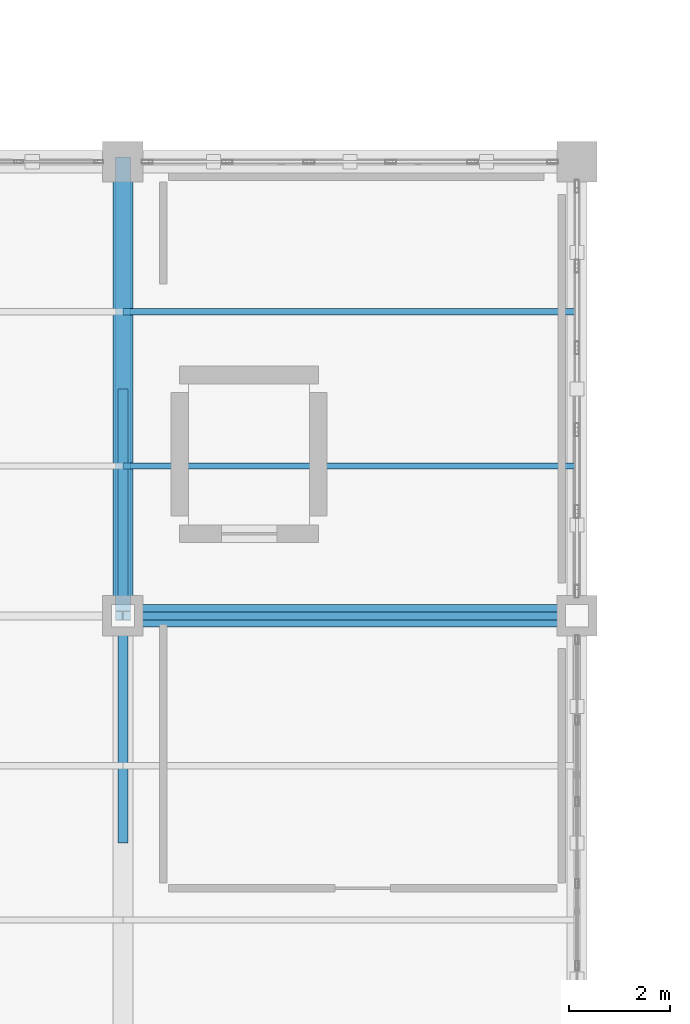
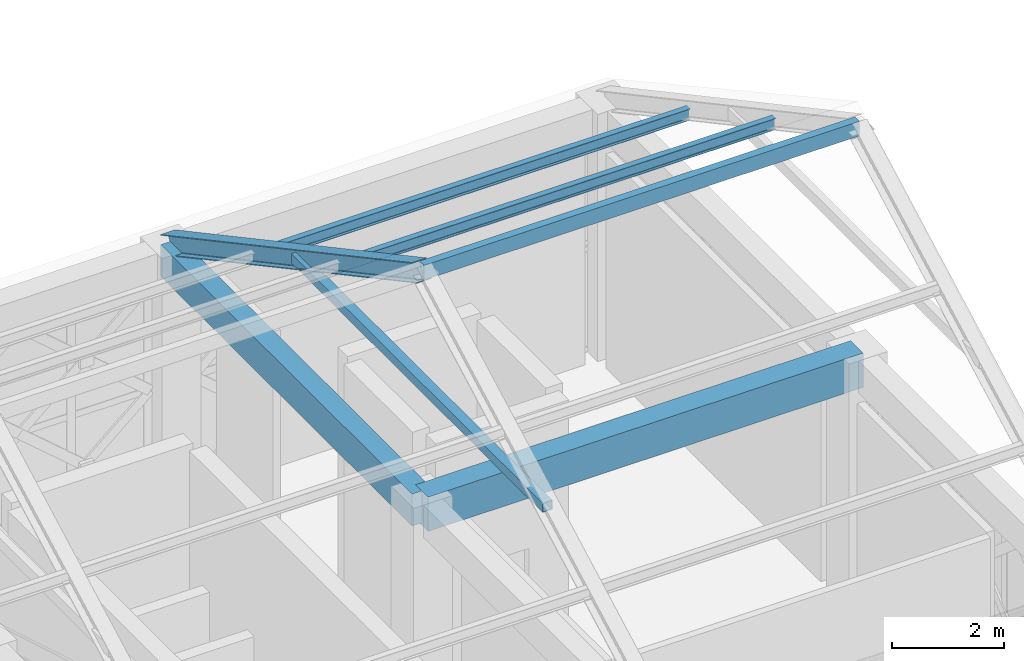
# One storey, part 55 of 86: 5 members, 2 beams.
"""IFC4 building model written with IfcOpenShell, lengths in metres."""

from ifc_helpers import new_model, si_unit, direction, frame, origin, origin_2d, place, context, subcontext, project, spatial, rectangle, hollow_rectangle, i_section, extrude, material, material_profile, profile_set, type_object, element, save


model = new_model("IFC4")

# Units and contexts
model_context = context("Model", 3, precision=1e-05, world=origin(), true_north=direction((0.0, 1.0)))
body_context = subcontext(model_context, "Body", "Model", "MODEL_VIEW")
ifc_project = project(units=[si_unit("LENGTHUNIT", "METRE"), si_unit("AREAUNIT", "SQUARE_METRE"), si_unit("VOLUMEUNIT", "CUBIC_METRE"), si_unit("PLANEANGLEUNIT", "RADIAN"), si_unit("MASSUNIT", "GRAM", prefix="KILO")], contexts=[model_context])

# Site, building, storey
site_placement = place(None, origin())
site = spatial("IfcSite", under=ifc_project, at=site_placement, CompositionType="ELEMENT")
building_placement = place(site_placement, origin())
building = spatial("IfcBuilding", under=site, at=building_placement, Name="Haizhuo Lancet Aquarium", CompositionType="ELEMENT")
storey_placement = place(building_placement, frame((0.0, 0.0, 16.199951171875)))
storey = spatial("IfcBuildingStorey", under=building, at=storey_placement, Name="L03", CompositionType="ELEMENT", Elevation=16.199951171875)

# Beams
ifc_material_1 = material(Name="Concrete C40/50", Category="concrete")
ifc_material_profile_1 = material_profile(ifc_material_1, rectangle(XDim=0.39990234375, YDim=0.699951171875, at=origin_2d()), Name="RC-BM 400x700")
ifc_profile_set_1 = profile_set([ifc_material_profile_1], Name="Concrete C40/50")
beam_type_1 = type_object("IfcBeamType", Name="BM-RC-400x700", PredefinedType="BEAM", material=ifc_profile_set_1)
beam_1_placement = place(storey_placement, frame((63.0, -18.0, 5.050048828125), z_axis=(0.0, 1.0, 0.0), x_axis=(-1.0, 0.0, 0.0)))
element("IfcBeam", 1, at=beam_1_placement, inside=storey, type_object=beam_type_1, Name="L03 V3 primary girder BM-L03-V3-028", PredefinedType="BEAM", context=body_context, shape_type="SweptSolid", body=[
    extrude(rectangle(XDim=0.39990234375, YDim=0.699951171875, at=origin_2d()), origin(), (0.0, 0.0, 1.0), 9.0),
])
ifc_material_profile_2 = material_profile(ifc_material_1, rectangle(XDim=0.449951171875, YDim=0.75, at=origin_2d()), Name="RC-BM 450x750")
ifc_profile_set_2 = profile_set([ifc_material_profile_2], Name="Concrete C40/50")
beam_type_2 = type_object("IfcBeamType", Name="BM-RC-450x750", PredefinedType="BEAM", material=ifc_profile_set_2)
beam_2_placement = place(storey_placement, frame((63.0, -18.0, 5.025146484375), z_axis=(1.0, 0.0, 0.0), x_axis=(0.0, 1.0, 0.0)))
element("IfcBeam", 2, at=beam_2_placement, inside=storey, type_object=beam_type_2, Name="L03 V3 primary girder BM-L03-V3-029", PredefinedType="BEAM", context=body_context, shape_type="SweptSolid", body=[
    extrude(rectangle(XDim=0.449951171875, YDim=0.75, at=origin_2d()), origin(), (0.0, 0.0, 1.0), 9.0),
])

# Members
ifc_material_2 = material(Name="Steel S355", Category="steel")
ifc_material_profile_3 = material_profile(ifc_material_2, hollow_rectangle(XDim=0.159912109375, YDim=0.320068359375, WallThickness=0.010009765625, at=origin_2d()), Name="RHS 160x320x10")
ifc_profile_set_3 = profile_set([ifc_material_profile_3], Name="Steel S355")
member_type_1 = type_object("IfcMemberType", Name="MEM-CH-RHS160x320", PredefinedType="CHORD", material=ifc_profile_set_3)
member_1_placement = place(storey_placement, frame((63.0, -18.0, 10.216064453125), z_axis=(1.0, 0.0, 0.0), x_axis=(0.0, 1.0, 0.0)))
element("IfcMember", 3, at=member_1_placement, inside=storey, type_object=member_type_1, Name="V3 roof ridge chord 5", PredefinedType="CHORD", context=body_context, shape_type="SweptSolid", body=[
    extrude(hollow_rectangle(XDim=0.159912109375, YDim=0.320068359375, WallThickness=0.010009765625, at=origin_2d()), origin(), (0.0, 0.0, 1.0), 9.0),
])
ifc_material_profile_4 = material_profile(ifc_material_2, hollow_rectangle(XDim=0.199951171875, YDim=0.199951171875, WallThickness=0.010009765625, at=origin_2d()), Name="SHS 200x200x10")
ifc_profile_set_4 = profile_set([ifc_material_profile_4], Name="Steel S355")
member_type_2 = type_object("IfcMemberType", Name="MEM-CL-SHS200", PredefinedType="COLLAR", material=ifc_profile_set_4)
member_2_placement = place(storey_placement, frame((63.0, -22.5, 7.79296875), z_axis=(0.0, 1.0, 0.0), x_axis=(-1.0, 0.0, 0.0)))
element("IfcMember", 4, at=member_2_placement, inside=storey, type_object=member_type_2, Name="V3 Gothic roof collar tie 5", PredefinedType="COLLAR", context=body_context, shape_type="SweptSolid", body=[
    extrude(hollow_rectangle(XDim=0.199951171875, YDim=0.199951171875, WallThickness=0.010009765625, at=origin_2d()), origin(), (0.0, 0.0, 1.0), 9.0),
])
ifc_material_profile_5 = material_profile(ifc_material_2, i_section(OverallWidth=0.125, OverallDepth=0.25, WebThickness=0.006103515625, FlangeThickness=0.009033203125, FilletRadius=0.010009765625, at=origin_2d()), Name="HN 250x125x6x9")
ifc_profile_set_5 = profile_set([ifc_material_profile_5], Name="Steel S355")
member_type_3 = type_object("IfcMemberType", Name="MEM-PR-HN250", PredefinedType="PURLIN", material=ifc_profile_set_5)
for number, where, z_axis, x_axis, name in (
    (5, (63.0, -11.969970703125, 6.859130859375), (1.0, 0.0, 0.0), (0.0, 1.0, 0.0), "V3 north roof purlin 5"),
    (6, (63.0, -15.030029296875, 8.507080078125), (1.0, 0.0, 0.0), (0.0, 1.0, 0.0), "V3 north roof purlin 5"),
):
    element("IfcMember", number, at=place(storey_placement, frame(where, z_axis=z_axis, x_axis=x_axis)), inside=storey, type_object=member_type_3, Name=name, PredefinedType="PURLIN", context=body_context, shape_type="SweptSolid", body=[
        extrude(i_section(OverallWidth=0.125, OverallDepth=0.25, WebThickness=0.006103515625, FlangeThickness=0.009033203125, FilletRadius=0.010009765625, at=origin_2d()), origin(), (0.0, 0.0, 1.0), 9.0),
    ])
ifc_material_profile_6 = material_profile(ifc_material_2, i_section(OverallWidth=0.300048828125, OverallDepth=0.389892578125, WebThickness=0.010009765625, FlangeThickness=0.01611328125, FilletRadius=0.02001953125, at=origin_2d()), Name="HM 390x300x10x16")
ifc_profile_set_6 = profile_set([ifc_material_profile_6], Name="Steel S355")
member_type_4 = type_object("IfcMemberType", Name="MEM-RF-HM390", PredefinedType="RAFTER", material=ifc_profile_set_6)
member_3_placement = place(storey_placement, frame((63.0, -9.0, 5.3701171875), z_axis=(0.0, -0.880479536064, 0.474084155581), x_axis=(1.0, 0.0, 0.0)))
element("IfcMember", 7, at=member_3_placement, inside=storey, type_object=member_type_4, Name="V3 Gothic pitched roof north rafter 5", PredefinedType="RAFTER", context=body_context, shape_type="SweptSolid", body=[
    extrude(i_section(OverallWidth=0.300048828125, OverallDepth=0.389892578125, WebThickness=0.010009765625, FlangeThickness=0.01611328125, FilletRadius=0.02001953125, at=origin_2d()), origin(), (0.0, 0.0, 1.0), 10.2216796875),
])

save(model, "model.ifc")
